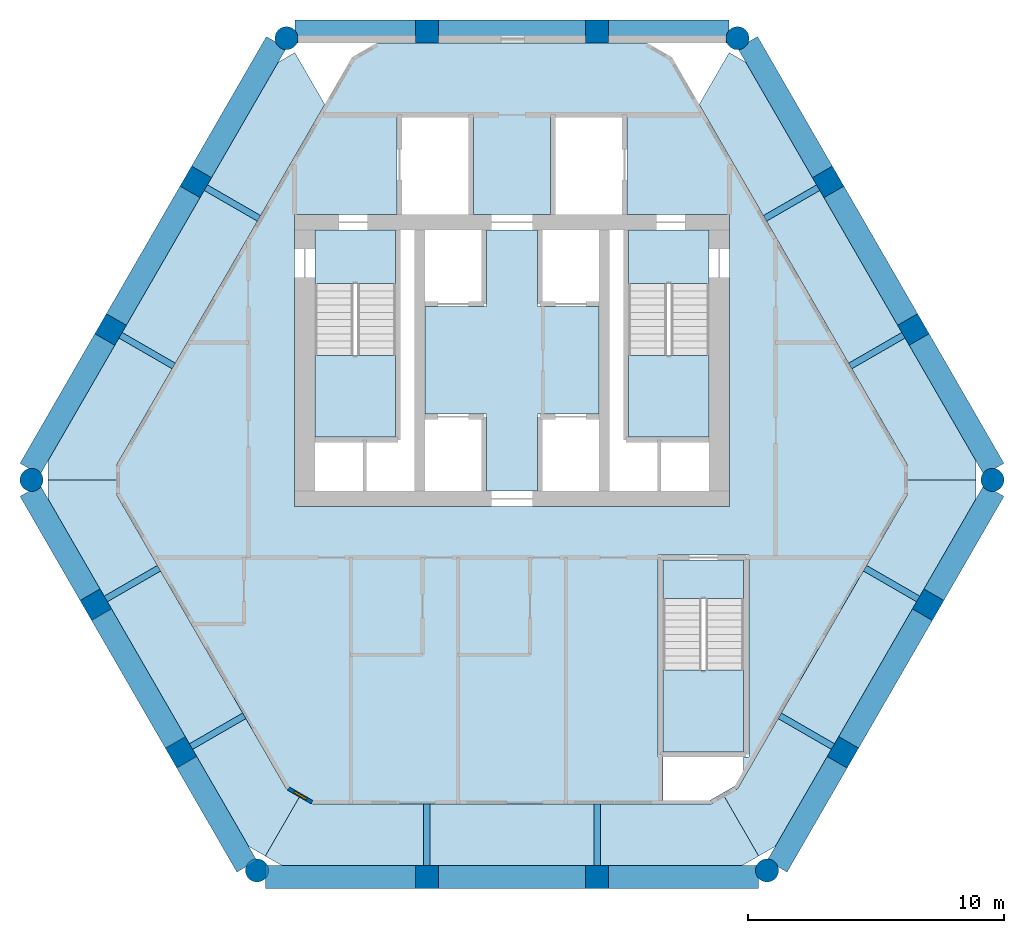
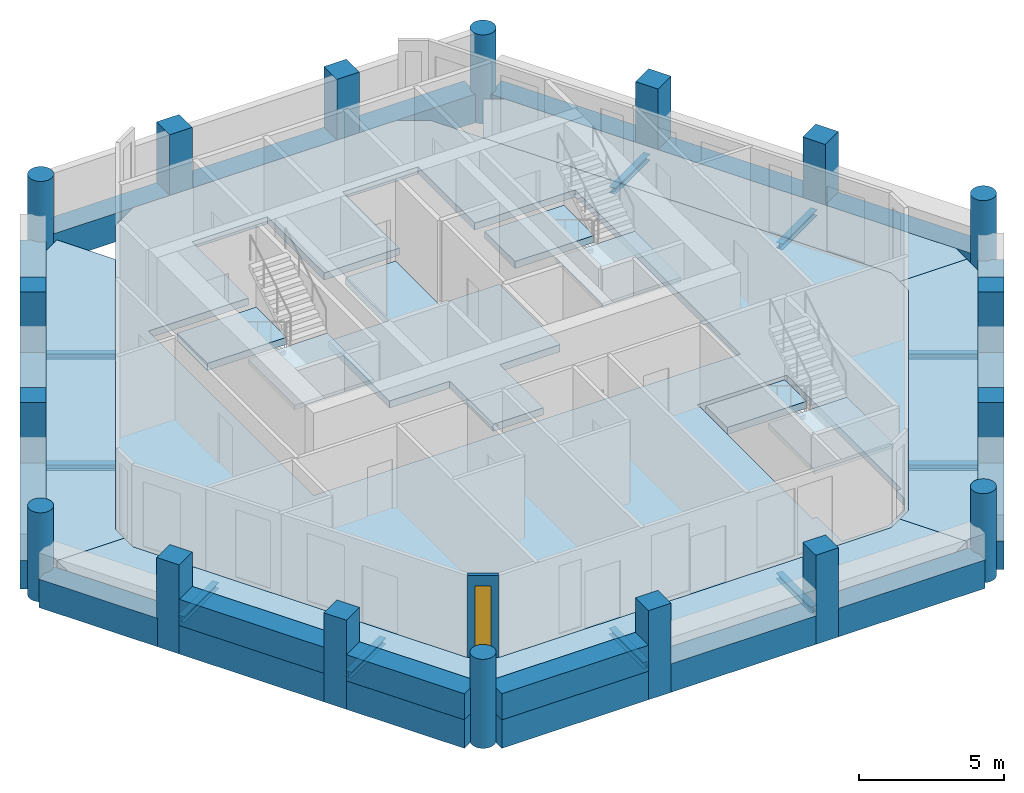
# One storey, part 1 of 6: 28 beams, 18 columns, 13 slabs, 4 walls, 1 window, 1 opening, 3 elements without a shape of their own.
"""IFC4 building model written with IfcOpenShell, lengths in metres."""

from ifc_helpers import new_model, si_unit, direction, frame, frame_2d, origin, origin_2d, place, context, subcontext, project, spatial, polyline, rectangle, circle, i_section, outline, extrude, material, layer, layer_set, material_profile, profile_set, type_object, element, fill, aggregate, save


model = new_model("IFC4")

# Units and contexts
model_context = context("Model", 3, precision=1e-05, world=origin(), true_north=direction((0.0, 1.0)))
body_context = subcontext(model_context, "Body", "Model", "MODEL_VIEW")
ifc_project = project(units=[si_unit("LENGTHUNIT", "METRE"), si_unit("AREAUNIT", "SQUARE_METRE"), si_unit("VOLUMEUNIT", "CUBIC_METRE"), si_unit("PLANEANGLEUNIT", "RADIAN"), si_unit("MASSUNIT", "GRAM", prefix="KILO")], contexts=[model_context])

# Site, building, storey
site_placement = place(None, origin())
site = spatial("IfcSite", under=ifc_project, at=site_placement, CompositionType="ELEMENT")
building_placement = place(site_placement, origin())
building = spatial("IfcBuilding", under=site, at=building_placement, Name="Ostrander Bayou Hotel Tower", CompositionType="ELEMENT")
storey_placement = place(building_placement, frame((0.0, 0.0, 248.75)))
storey = spatial("IfcBuildingStorey", under=building, at=storey_placement, Name="L61", CompositionType="ELEMENT", Elevation=248.75)

# Columns
ifc_material_1 = material(Name="Concrete f'c 60 MPa", Category="concrete")
ifc_material_profile_1 = material_profile(ifc_material_1, circle(Radius=0.449951171875, at=origin_2d()))
ifc_profile_set_1 = profile_set([ifc_material_profile_1], Name="Concrete f'c 60 MPa")
column_type_1 = type_object("IfcColumnType", Name="C7 round column 900 mm f'c 60 MPa", PredefinedType="COLUMN", material=ifc_profile_set_1)
for number, where, z_axis, x_axis, name in (
    (1, (-8.80908203125, 16.588623046875, -1.199951171875), (0.0, 0.0, 1.0), (1.0, 0.0, 0.0), "C7 L61 K0"),
    (2, (-18.770751953125, -0.66552734375, -1.199951171875), (0.0, 0.0, 1.0), (1.0, 0.0, 0.0), "C7 L61 K1"),
    (3, (-9.9619140625, -15.923095703125, -1.199951171875), (0.0, 0.0, 1.0), (1.0, 0.0, 0.0), "C7 L61 K2"),
    (4, (9.9619140625, -15.923095703125, -1.199951171875), (0.0, 0.0, 1.0), (1.0, 0.0, 0.0), "C7 L61 K3"),
    (5, (18.770751953125, -0.66552734375, -1.199951171875), (0.0, 0.0, 1.0), (1.0, 0.0, 0.0), "C7 L61 K4"),
    (6, (8.80908203125, 16.588623046875, -1.199951171875), (0.0, 0.0, 1.0), (1.0, 0.0, 0.0), "C7 L61 K5"),
):
    element("IfcColumn", number, at=place(storey_placement, frame(where, z_axis=z_axis, x_axis=x_axis)), inside=storey, type_object=column_type_1, Name=name, PredefinedType="COLUMN", context=body_context, shape_type="SweptSolid", body=[
        extrude(circle(Radius=0.449951171875, at=origin_2d()), origin(), (0.0, 0.0, 1.0), 3.75),
    ])
ifc_material_2 = material(Name="Concrete f'c 60 MPa", Category="concrete")
ifc_material_profile_2 = material_profile(ifc_material_2, rectangle(XDim=0.89990234375, YDim=0.89990234375, at=origin_2d()))
ifc_profile_set_2 = profile_set([ifc_material_profile_2], Name="Concrete f'c 60 MPa")
column_type_2 = type_object("IfcColumnType", Name="C8 square column 900 x 900 mm f'c 60 MPa", PredefinedType="COLUMN", material=ifc_profile_set_2)
for number, where, z_axis, x_axis, name in (
    (7, (3.329345703125, 16.85009765625, -1.199951171875), (0.0, 0.0, 1.0), (1.0, 0.0, 0.0), "C8 L61 N1"),
    (8, (-3.329345703125, 16.85009765625, -1.199951171875), (0.0, 0.0, 1.0), (1.0, 0.0, 0.0), "C8 L61 N2"),
    (9, (-12.3515625, 10.9755859375, -1.199951171875), (0.0, 0.0, 1.0), (0.5, 0.866025403784, 0.0), "C8 L61 NW1"),
    (10, (-15.680908203125, 5.208984375, -1.199951171875), (0.0, 0.0, 1.0), (0.5, 0.866025403784, 0.0), "C8 L61 NW2"),
    (11, (-16.257080078125, -5.541748046875, -1.199951171875), (0.0, 0.0, 1.0), (-0.5, 0.866025403784, 0.0), "C8 L61 SW1"),
    (12, (-12.927734375, -11.308349609375, -1.199951171875), (0.0, 0.0, 1.0), (-0.5, 0.866025403784, 0.0), "C8 L61 SW2"),
    (13, (-3.329345703125, -16.1845703125, -1.199951171875), (0.0, 0.0, 1.0), (-1.0, 0.0, 0.0), "C8 L61 S1"),
    (14, (3.329345703125, -16.1845703125, -1.199951171875), (0.0, 0.0, 1.0), (-1.0, 0.0, 0.0), "C8 L61 S2"),
    (15, (12.927734375, -11.308349609375, -1.199951171875), (0.0, 0.0, 1.0), (-0.5, -0.866025403784, 0.0), "C8 L61 SE1"),
    (16, (16.257080078125, -5.541748046875, -1.199951171875), (0.0, 0.0, 1.0), (-0.5, -0.866025403784, 0.0), "C8 L61 SE2"),
    (17, (15.680908203125, 5.208984375, -1.199951171875), (0.0, 0.0, 1.0), (0.5, -0.866025403784, 0.0), "C8 L61 NE1"),
    (18, (12.3515625, 10.9755859375, -1.199951171875), (0.0, 0.0, 1.0), (0.5, -0.866025403784, 0.0), "C8 L61 NE2"),
):
    element("IfcColumn", number, at=place(storey_placement, frame(where, z_axis=z_axis, x_axis=x_axis)), inside=storey, type_object=column_type_2, Name=name, PredefinedType="COLUMN", context=body_context, shape_type="SweptSolid", body=[
        extrude(rectangle(XDim=0.89990234375, YDim=0.89990234375, at=origin_2d()), origin(), (0.0, 0.0, 1.0), 3.75),
    ])

# Beams
ifc_material_3 = material(Name="Steel ASTM A992", Category="steel")
ifc_material_profile_3 = material_profile(ifc_material_3, i_section(OverallWidth=0.25390625, OverallDepth=0.25341796875, WebThickness=0.008544921875, FlangeThickness=0.01416015625, at=origin_2d()))
ifc_profile_set_3 = profile_set([ifc_material_profile_3], Name="Steel ASTM A992")
beam_type_1 = type_object("IfcBeamType", Name="LB2 loggia bracket W10x49", PredefinedType="BEAM", material=ifc_profile_set_3)
for number, where, z_axis, x_axis, name in (
    (19, (-11.9619140625, 10.75048828125, -0.4267578125), (0.866050077142, -0.499957262057, 0.0), (0.499957262057, 0.866050077142, 0.0), "LB2 L61 NW1"),
    (20, (-15.291259765625, 4.98388671875, -0.4267578125), (0.866050077142, -0.499957262057, 0.0), (0.499957262057, 0.866050077142, 0.0), "LB2 L61 NW2"),
):
    element("IfcBeam", number, at=place(storey_placement, frame(where, z_axis=z_axis, x_axis=x_axis)), inside=storey, type_object=beam_type_1, Name=name, PredefinedType="BEAM", context=body_context, shape_type="SweptSolid", body=[
        extrude(i_section(OverallWidth=0.25390625, OverallDepth=0.25341796875, WebThickness=0.008544921875, FlangeThickness=0.01416015625, at=origin_2d()), origin(), (0.0, 0.0, 1.0), 2.400146484375),
    ])
for number, where, z_axis, x_axis, name in (
    (21, (-15.867431640625, -5.316650390625, -0.4267578125), (0.866024647952, 0.500001309137, 0.0), (-0.500001309137, 0.866024647952, 0.0), "LB2 L61 SW1"),
    (22, (-12.5380859375, -11.083251953125, -0.4267578125), (0.866024647952, 0.500001309137, 0.0), (-0.500001309137, 0.866024647952, 0.0), "LB2 L61 SW2"),
):
    element("IfcBeam", number, at=place(storey_placement, frame(where, z_axis=z_axis, x_axis=x_axis)), inside=storey, type_object=beam_type_1, Name=name, PredefinedType="BEAM", context=body_context, shape_type="SweptSolid", body=[
        extrude(i_section(OverallWidth=0.25390625, OverallDepth=0.25341796875, WebThickness=0.008544921875, FlangeThickness=0.01416015625, at=origin_2d()), origin(), (0.0, 0.0, 1.0), 2.39990234375),
    ])
for number, where, z_axis, x_axis, name in (
    (23, (-3.329345703125, -15.734619140625, -0.4267578125), (0.0, 1.0, 0.0), (-1.0, 0.0, 0.0), "LB2 L61 S1"),
    (24, (3.329345703125, -15.734619140625, -0.4267578125), (0.0, 1.0, 0.0), (-1.0, 0.0, 0.0), "LB2 L61 S2"),
):
    element("IfcBeam", number, at=place(storey_placement, frame(where, z_axis=z_axis, x_axis=x_axis)), inside=storey, type_object=beam_type_1, Name=name, PredefinedType="BEAM", context=body_context, shape_type="SweptSolid", body=[
        extrude(i_section(OverallWidth=0.25390625, OverallDepth=0.25341796875, WebThickness=0.008544921875, FlangeThickness=0.01416015625, at=origin_2d()), origin(), (0.0, 0.0, 1.0), 2.400146484375),
    ])
for number, where, z_axis, x_axis, name in (
    (25, (12.5380859375, -11.083251953125, -0.4267578125), (-0.866024647952, 0.500001309137, 0.0), (-0.500001309137, -0.866024647952, 0.0), "LB2 L61 SE1"),
    (26, (15.867431640625, -5.316650390625, -0.4267578125), (-0.866024647952, 0.500001309137, 0.0), (-0.500001309137, -0.866024647952, 0.0), "LB2 L61 SE2"),
):
    element("IfcBeam", number, at=place(storey_placement, frame(where, z_axis=z_axis, x_axis=x_axis)), inside=storey, type_object=beam_type_1, Name=name, PredefinedType="BEAM", context=body_context, shape_type="SweptSolid", body=[
        extrude(i_section(OverallWidth=0.25390625, OverallDepth=0.25341796875, WebThickness=0.008544921875, FlangeThickness=0.01416015625, at=origin_2d()), origin(), (0.0, 0.0, 1.0), 2.39990234375),
    ])
for number, where, z_axis, x_axis, name in (
    (27, (15.291259765625, 4.98388671875, -0.4267578125), (-0.866050077142, -0.499957262057, 0.0), (0.499957262057, -0.866050077142, 0.0), "LB2 L61 NE1"),
    (28, (11.9619140625, 10.75048828125, -0.4267578125), (-0.866050077142, -0.499957262057, 0.0), (0.499957262057, -0.866050077142, 0.0), "LB2 L61 NE2"),
):
    element("IfcBeam", number, at=place(storey_placement, frame(where, z_axis=z_axis, x_axis=x_axis)), inside=storey, type_object=beam_type_1, Name=name, PredefinedType="BEAM", context=body_context, shape_type="SweptSolid", body=[
        extrude(i_section(OverallWidth=0.25390625, OverallDepth=0.25341796875, WebThickness=0.008544921875, FlangeThickness=0.01416015625, at=origin_2d()), origin(), (0.0, 0.0, 1.0), 2.400146484375),
    ])
ifc_material_4 = material(Name="Concrete f'c 60 MPa", Category="concrete")
ifc_material_profile_4 = material_profile(ifc_material_4, rectangle(XDim=0.89990234375, YDim=1.199951171875, at=origin_2d()))
ifc_profile_set_4 = profile_set([ifc_material_profile_4], Name="Concrete f'c 60 MPa")
beam_type_2 = type_object("IfcBeamType", Name="SP4 spandrel beam 900 x 1200 mm f'c 60 MPa", PredefinedType="SPANDREL", material=ifc_profile_set_4)
beam_1_placement = place(storey_placement, frame((8.47265625, 16.85009765625, -0.60009765625), z_axis=(-1.0, 0.0, 0.0), x_axis=(0.0, -1.0, 0.0)))
element("IfcBeam", 29, at=beam_1_placement, inside=storey, type_object=beam_type_2, Name="SP4 L61 N-1", PredefinedType="SPANDREL", context=body_context, shape_type="SweptSolid", body=[
    extrude(rectangle(XDim=0.89990234375, YDim=1.199951171875, at=origin_2d()), origin(), (0.0, 0.0, 1.0), 4.72314453125),
])
beam_2_placement = place(storey_placement, frame((2.909423828125, 16.85009765625, -0.60009765625), z_axis=(-1.0, 0.0, 0.0), x_axis=(0.0, -1.0, 0.0)))
element("IfcBeam", 30, at=beam_2_placement, inside=storey, type_object=beam_type_2, Name="SP4 L61 N-2", PredefinedType="SPANDREL", context=body_context, shape_type="SweptSolid", body=[
    extrude(rectangle(XDim=0.89990234375, YDim=1.199951171875, at=origin_2d()), origin(), (0.0, 0.0, 1.0), 5.81884765625),
])
beam_3_placement = place(storey_placement, frame((-3.74951171875, 16.85009765625, -0.60009765625), z_axis=(-1.0, 0.0, 0.0), x_axis=(0.0, -1.0, 0.0)))
element("IfcBeam", 31, at=beam_3_placement, inside=storey, type_object=beam_type_2, Name="SP4 L61 N-3", PredefinedType="SPANDREL", context=body_context, shape_type="SweptSolid", body=[
    extrude(rectangle(XDim=0.89990234375, YDim=1.199951171875, at=origin_2d()), origin(), (0.0, 0.0, 1.0), 4.72314453125),
])
beam_4_placement = place(storey_placement, frame((-9.20361328125, 16.427978515625, -0.60009765625), z_axis=(-0.500008985279, -0.866020216069, 0.0), x_axis=(0.866020216069, -0.500008985279, 0.0)))
element("IfcBeam", 32, at=beam_4_placement, inside=storey, type_object=beam_type_2, Name="SP4 L61 NW-1", PredefinedType="SPANDREL", context=body_context, shape_type="SweptSolid", body=[
    extrude(rectangle(XDim=0.89990234375, YDim=1.199951171875, at=origin_2d()), origin(), (0.0, 0.0, 1.0), 5.8759765625),
])
beam_5_placement = place(storey_placement, frame((-12.5615234375, 10.61181640625, -0.60009765625), z_axis=(-0.499997265274, -0.866026982673, 0.0), x_axis=(0.866026982673, -0.499997265274, 0.0)))
element("IfcBeam", 33, at=beam_5_placement, inside=storey, type_object=beam_type_2, Name="SP4 L61 NW-2", PredefinedType="SPANDREL", context=body_context, shape_type="SweptSolid", body=[
    extrude(rectangle(XDim=0.89990234375, YDim=1.199951171875, at=origin_2d()), origin(), (0.0, 0.0, 1.0), 5.81884765625),
])
beam_6_placement = place(storey_placement, frame((-15.890869140625, 4.84521484375, -0.60009765625), z_axis=(-0.499990994059, -0.866030603304, 0.0), x_axis=(0.866030603304, -0.499990994059, 0.0)))
element("IfcBeam", 34, at=beam_6_placement, inside=storey, type_object=beam_type_2, Name="SP4 L61 NW-3", PredefinedType="SPANDREL", context=body_context, shape_type="SweptSolid", body=[
    extrude(rectangle(XDim=0.89990234375, YDim=1.199951171875, at=origin_2d()), origin(), (0.0, 0.0, 1.0), 5.8759765625),
])
beam_7_placement = place(storey_placement, frame((-18.828857421875, -1.08740234375, -0.60009765625), z_axis=(0.499980471007, -0.86603667856, 0.0), x_axis=(0.86603667856, 0.499980471007, 0.0)))
element("IfcBeam", 35, at=beam_7_placement, inside=storey, type_object=beam_type_2, Name="SP4 L61 SW-1", PredefinedType="SPANDREL", context=body_context, shape_type="SweptSolid", body=[
    extrude(rectangle(XDim=0.89990234375, YDim=1.199951171875, at=origin_2d()), origin(), (0.0, 0.0, 1.0), 4.723388671875),
])
beam_8_placement = place(storey_placement, frame((-16.047119140625, -5.905517578125, -0.60009765625), z_axis=(0.500015433515, -0.866016493057, 0.0), x_axis=(0.866016493057, 0.500015433515, 0.0)))
element("IfcBeam", 36, at=beam_8_placement, inside=storey, type_object=beam_type_2, Name="SP4 L61 SW-2", PredefinedType="SPANDREL", context=body_context, shape_type="SweptSolid", body=[
    extrude(rectangle(XDim=0.89990234375, YDim=1.199951171875, at=origin_2d()), origin(), (0.0, 0.0, 1.0), 5.818603515625),
])
beam_9_placement = place(storey_placement, frame((-12.7177734375, -11.672119140625, -0.60009765625), z_axis=(0.500002852929, -0.866023756639, 0.0), x_axis=(0.866023756639, 0.500002852929, 0.0)))
element("IfcBeam", 37, at=beam_9_placement, inside=storey, type_object=beam_type_2, Name="SP4 L61 SW-3", PredefinedType="SPANDREL", context=body_context, shape_type="SweptSolid", body=[
    extrude(rectangle(XDim=0.89990234375, YDim=1.199951171875, at=origin_2d()), origin(), (0.0, 0.0, 1.0), 4.72314453125),
])
beam_10_placement = place(storey_placement, frame((-9.62548828125, -16.1845703125, -0.60009765625), z_axis=(1.0, 0.0, 0.0), x_axis=(0.0, 1.0, 0.0)))
element("IfcBeam", 38, at=beam_10_placement, inside=storey, type_object=beam_type_2, Name="SP4 L61 S-1", PredefinedType="SPANDREL", context=body_context, shape_type="SweptSolid", body=[
    extrude(rectangle(XDim=0.89990234375, YDim=1.199951171875, at=origin_2d()), origin(), (0.0, 0.0, 1.0), 5.8759765625),
])
beam_11_placement = place(storey_placement, frame((-2.909423828125, -16.1845703125, -0.60009765625), z_axis=(1.0, 0.0, 0.0), x_axis=(0.0, 1.0, 0.0)))
element("IfcBeam", 39, at=beam_11_placement, inside=storey, type_object=beam_type_2, Name="SP4 L61 S-2", PredefinedType="SPANDREL", context=body_context, shape_type="SweptSolid", body=[
    extrude(rectangle(XDim=0.89990234375, YDim=1.199951171875, at=origin_2d()), origin(), (0.0, 0.0, 1.0), 5.81884765625),
])
beam_12_placement = place(storey_placement, frame((3.74951171875, -16.1845703125, -0.60009765625), z_axis=(1.0, 0.0, 0.0), x_axis=(0.0, 1.0, 0.0)))
element("IfcBeam", 40, at=beam_12_placement, inside=storey, type_object=beam_type_2, Name="SP4 L61 S-3", PredefinedType="SPANDREL", context=body_context, shape_type="SweptSolid", body=[
    extrude(rectangle(XDim=0.89990234375, YDim=1.199951171875, at=origin_2d()), origin(), (0.0, 0.0, 1.0), 5.8759765625),
])
beam_13_placement = place(storey_placement, frame((10.356201171875, -15.762451171875, -0.60009765625), z_axis=(0.500002852929, 0.866023756639, 0.0), x_axis=(-0.866023756639, 0.500002852929, 0.0)))
element("IfcBeam", 41, at=beam_13_placement, inside=storey, type_object=beam_type_2, Name="SP4 L61 SE-1", PredefinedType="SPANDREL", context=body_context, shape_type="SweptSolid", body=[
    extrude(rectangle(XDim=0.89990234375, YDim=1.199951171875, at=origin_2d()), origin(), (0.0, 0.0, 1.0), 4.72314453125),
])
beam_14_placement = place(storey_placement, frame((13.1376953125, -10.944580078125, -0.60009765625), z_axis=(0.500015433515, 0.866016493057, 0.0), x_axis=(-0.866016493057, 0.500015433515, 0.0)))
element("IfcBeam", 42, at=beam_14_placement, inside=storey, type_object=beam_type_2, Name="SP4 L61 SE-2", PredefinedType="SPANDREL", context=body_context, shape_type="SweptSolid", body=[
    extrude(rectangle(XDim=0.89990234375, YDim=1.199951171875, at=origin_2d()), origin(), (0.0, 0.0, 1.0), 5.818603515625),
])
beam_15_placement = place(storey_placement, frame((16.46728515625, -5.177978515625, -0.60009765625), z_axis=(0.499980471007, 0.86603667856, 0.0), x_axis=(-0.86603667856, 0.499980471007, 0.0)))
element("IfcBeam", 43, at=beam_15_placement, inside=storey, type_object=beam_type_2, Name="SP4 L61 SE-3", PredefinedType="SPANDREL", context=body_context, shape_type="SweptSolid", body=[
    extrude(rectangle(XDim=0.89990234375, YDim=1.199951171875, at=origin_2d()), origin(), (0.0, 0.0, 1.0), 4.723388671875),
])
beam_16_placement = place(storey_placement, frame((18.828857421875, -0.24365234375, -0.60009765625), z_axis=(-0.499990994059, 0.866030603304, 0.0), x_axis=(-0.866030603304, -0.499990994059, 0.0)))
element("IfcBeam", 44, at=beam_16_placement, inside=storey, type_object=beam_type_2, Name="SP4 L61 NE-1", PredefinedType="SPANDREL", context=body_context, shape_type="SweptSolid", body=[
    extrude(rectangle(XDim=0.89990234375, YDim=1.199951171875, at=origin_2d()), origin(), (0.0, 0.0, 1.0), 5.8759765625),
])
beam_17_placement = place(storey_placement, frame((15.470947265625, 5.572509765625, -0.60009765625), z_axis=(-0.499997265274, 0.866026982673, 0.0), x_axis=(-0.866026982673, -0.499997265274, 0.0)))
element("IfcBeam", 45, at=beam_17_placement, inside=storey, type_object=beam_type_2, Name="SP4 L61 NE-2", PredefinedType="SPANDREL", context=body_context, shape_type="SweptSolid", body=[
    extrude(rectangle(XDim=0.89990234375, YDim=1.199951171875, at=origin_2d()), origin(), (0.0, 0.0, 1.0), 5.81884765625),
])
beam_18_placement = place(storey_placement, frame((12.1416015625, 11.33935546875, -0.60009765625), z_axis=(-0.500008985279, 0.866020216069, 0.0), x_axis=(-0.866020216069, -0.500008985279, 0.0)))
element("IfcBeam", 46, at=beam_18_placement, inside=storey, type_object=beam_type_2, Name="SP4 L61 NE-3", PredefinedType="SPANDREL", context=body_context, shape_type="SweptSolid", body=[
    extrude(rectangle(XDim=0.89990234375, YDim=1.199951171875, at=origin_2d()), origin(), (0.0, 0.0, 1.0), 5.8759765625),
])

# Slabs
ifc_material_5 = material(Name="Concrete f'c 40 MPa", Category="concrete")
ifc_layer_1 = layer(ifc_material_5, 0.300048828125)
ifc_layer_set_1 = layer_set([ifc_layer_1], Name="SL1 floor slab 300 mm f'c 40 MPa")
slab_type_1 = type_object("IfcSlabType", Name="SL1 floor slab 300 mm f'c 40 MPa", PredefinedType="FLOOR", material=ifc_layer_set_1)
slab_1_placement = place(storey_placement, frame((0.0, 0.0, -0.300048828125)))
element("IfcSlab", 47, at=slab_1_placement, inside=storey, type_object=slab_type_1, Name="SL1 L61 1", PredefinedType="FLOOR", context=body_context, shape_type="SweptSolid", body=[
    extrude(outline(polyline([(-2.909423828125, 16.39990234375), (2.909423828125, 16.39990234375), (3.74951171875, 16.39990234375), (5.236083984375, 16.39990234375), (6.275146484375, 15.800048828125), (15.435302734375, -0.0654296875), (15.435302734375, -1.265380859375), (8.8134765625, -12.734619140625), (7.7744140625, -13.33447265625), (-7.7744140625, -13.33447265625), (-8.8134765625, -12.734619140625), (-15.435302734375, -1.265380859375), (-15.435302734375, -0.0654296875), (-6.275146484375, 15.800048828125), (-5.236083984375, 16.39990234375), (-3.74951171875, 16.39990234375), (-2.909423828125, 16.39990234375)]), holes=[polyline([(9.050048828125, -12.02490234375), (9.050048828125, -11.5), (9.25, -11.5), (9.25, -3.60009765625), (5.699951171875, -3.60009765625), (5.699951171875, -11.5), (5.89990234375, -11.5), (5.89990234375, -13.1845703125), (7.734130859375, -13.1845703125), (8.70361328125, -12.624755859375), (9.050048828125, -12.02490234375)]), polyline([(-8.5, -1.699951171875), (8.5, -1.699951171875), (8.5, 9.699951171875), (4.5, 9.699951171875), (4.5, 13.60009765625), (1.5, 13.60009765625), (1.5, 9.699951171875), (-1.5, 9.699951171875), (-1.5, 13.60009765625), (-4.5, 13.60009765625), (-4.5, 9.699951171875), (-8.5, 9.699951171875), (-8.5, -1.699951171875)])]), origin(), (0.0, 0.0, 1.0), 0.300048828125),
])
slab_2_placement = place(storey_placement, frame((0.0, 0.0, -0.300048828125)))
element("IfcSlab", 48, at=slab_2_placement, inside=storey, type_object=slab_type_1, Name="cslab:L61:001", PredefinedType="FLOOR", context=body_context, shape_type="SweptSolid", body=[
    extrude(outline(polyline([(-3.39990234375, 6.10009765625), (-1.0, 6.10009765625), (-1.0, 9.10009765625), (1.0, 9.10009765625), (1.0, 6.10009765625), (3.39990234375, 6.10009765625), (3.39990234375, 1.89990234375), (1.0, 1.89990234375), (1.0, -1.10009765625), (-1.0, -1.10009765625), (-1.0, 1.89990234375), (-3.39990234375, 1.89990234375), (-3.39990234375, 6.10009765625)])), origin(), (0.0, 0.0, 1.0), 0.300048828125),
])
slab_3_placement = place(storey_placement, frame((0.0, 0.0, -0.300048828125)))
element("IfcSlab", 49, at=slab_3_placement, inside=storey, type_object=slab_type_1, Name="cslab:L61:002", PredefinedType="FLOOR", context=body_context, shape_type="SweptSolid", body=[
    extrude(outline(polyline([(-4.550048828125, 7.0), (-4.550048828125, 9.10009765625), (-7.699951171875, 9.10009765625), (-7.699951171875, 7.0), (-4.550048828125, 7.0)])), origin(), (0.0, 0.0, 1.0), 0.300048828125),
])
slab_4_placement = place(storey_placement, frame((0.0, 0.0, -0.300048828125)))
element("IfcSlab", 50, at=slab_4_placement, inside=storey, type_object=slab_type_1, Name="cslab:L61:003", PredefinedType="FLOOR", context=body_context, shape_type="SweptSolid", body=[
    extrude(outline(polyline([(7.699951171875, 7.0), (7.699951171875, 9.10009765625), (4.550048828125, 9.10009765625), (4.550048828125, 7.0), (7.699951171875, 7.0)])), origin(), (0.0, 0.0, 1.0), 0.300048828125),
])
slab_5_placement = place(storey_placement, frame((0.0, 0.0, -0.300048828125)))
element("IfcSlab", 51, at=slab_5_placement, inside=storey, type_object=slab_type_1, Name="cslab:L61:004", PredefinedType="FLOOR", context=body_context, shape_type="SweptSolid", body=[
    extrude(outline(polyline([(9.050048828125, -5.300048828125), (9.050048828125, -3.800048828125), (5.89990234375, -3.800048828125), (5.89990234375, -5.300048828125), (9.050048828125, -5.300048828125)])), origin(), (0.0, 0.0, 1.0), 0.300048828125),
])
ifc_material_6 = material(Name="Concrete f'c 40 MPa", Category="concrete")
ifc_layer_2 = layer(ifc_material_6, 0.300048828125)
ifc_layer_set_2 = layer_set([ifc_layer_2], Name="SL4 loggia slab 300 mm f'c 40 MPa")
slab_type_2 = type_object("IfcSlabType", Name="SL4 loggia slab 300 mm f'c 40 MPa", PredefinedType="FLOOR", material=ifc_layer_set_2)
slab_6_placement = place(storey_placement, frame((0.0, 0.0, -0.300048828125)))
element("IfcSlab", 52, at=slab_6_placement, inside=storey, type_object=slab_type_2, Name="SL4 LOGGIA L61 NW 1", PredefinedType="FLOOR", context=body_context, shape_type="SweptSolid", body=[
    extrude(outline(polyline([(-18.119873046875, -0.66552734375), (-18.119873046875, 0.08447265625), (-15.501220703125, 4.6201171875), (-15.081298828125, 5.34765625), (-13.514404296875, 8.06103515625), (-12.171875, 10.38671875), (-11.751708984375, 11.1142578125), (-9.133056640625, 15.64990234375), (-8.483642578125, 16.02490234375), (-7.314453125, 14.0), (-15.435302734375, -0.0654296875), (-15.435302734375, -0.66552734375), (-18.119873046875, -0.66552734375)])), origin(), (0.0, 0.0, 1.0), 0.300048828125),
])
slab_7_placement = place(storey_placement, frame((0.0, 0.0, -0.300048828125)))
element("IfcSlab", 53, at=slab_7_placement, inside=storey, type_object=slab_type_2, Name="SL4 LOGGIA L61 SW 1", PredefinedType="FLOOR", context=body_context, shape_type="SweptSolid", body=[
    extrude(outline(polyline([(-8.2939453125, -13.034423828125), (-9.63623046875, -15.359619140625), (-10.285888671875, -14.984619140625), (-12.328125, -11.447021484375), (-12.748046875, -10.719482421875), (-15.657470703125, -5.680419921875), (-16.077392578125, -4.952880859375), (-16.893310546875, -3.5400390625), (-18.119873046875, -1.41552734375), (-18.119873046875, -0.66552734375), (-15.435302734375, -0.66552734375), (-15.435302734375, -1.265380859375), (-8.8134765625, -12.734619140625), (-8.2939453125, -13.034423828125)])), origin(), (0.0, 0.0, 1.0), 0.300048828125),
])
slab_8_placement = place(storey_placement, frame((0.0, 0.0, -0.300048828125)))
element("IfcSlab", 54, at=slab_8_placement, inside=storey, type_object=slab_type_2, Name="SL4 LOGGIA L61 S 1", PredefinedType="FLOOR", context=body_context, shape_type="SweptSolid", body=[
    extrude(outline(polyline([(8.2939453125, -13.034423828125), (9.63623046875, -15.359619140625), (8.98681640625, -15.734619140625), (3.74951171875, -15.734619140625), (2.909423828125, -15.734619140625), (-2.909423828125, -15.734619140625), (-3.74951171875, -15.734619140625), (-8.98681640625, -15.734619140625), (-9.63623046875, -15.359619140625), (-8.2939453125, -13.034423828125), (-7.7744140625, -13.33447265625), (7.7744140625, -13.33447265625), (8.2939453125, -13.034423828125)])), origin(), (0.0, 0.0, 1.0), 0.300048828125),
])
slab_9_placement = place(storey_placement, frame((0.0, 0.0, -0.300048828125)))
element("IfcSlab", 55, at=slab_9_placement, inside=storey, type_object=slab_type_2, Name="SL4 LOGGIA L61 SE 1", PredefinedType="FLOOR", context=body_context, shape_type="SweptSolid", body=[
    extrude(outline(polyline([(15.435302734375, -0.66552734375), (18.119873046875, -0.66552734375), (18.119873046875, -1.41552734375), (16.077392578125, -4.952880859375), (15.657470703125, -5.680419921875), (12.748046875, -10.719482421875), (12.328125, -11.447021484375), (10.285888671875, -14.984619140625), (9.63623046875, -15.359619140625), (8.2939453125, -13.034423828125), (8.8134765625, -12.734619140625), (15.435302734375, -1.265380859375), (15.435302734375, -0.66552734375)])), origin(), (0.0, 0.0, 1.0), 0.300048828125),
])
slab_10_placement = place(storey_placement, frame((0.0, 0.0, -0.300048828125)))
element("IfcSlab", 56, at=slab_10_placement, inside=storey, type_object=slab_type_2, Name="SL4 LOGGIA L61 NE 1", PredefinedType="FLOOR", context=body_context, shape_type="SweptSolid", body=[
    extrude(outline(polyline([(8.483642578125, 16.02490234375), (9.133056640625, 15.64990234375), (11.751708984375, 11.1142578125), (12.171875, 10.38671875), (15.081298828125, 5.34765625), (15.501220703125, 4.6201171875), (17.7255859375, 0.767578125), (18.02880859375, 0.241943359375), (18.119873046875, 0.08447265625), (18.119873046875, -0.66552734375), (15.435302734375, -0.66552734375), (15.435302734375, -0.0654296875), (7.314453125, 14.0), (8.483642578125, 16.02490234375)])), origin(), (0.0, 0.0, 1.0), 0.300048828125),
])

# Stair, slab
ifc_material_7 = material(Name="Concrete f'c 45 MPa", Category="concrete")
stair_type = type_object("IfcStairType", Name="ST1 exit stair 1500 mm f'c 45 MPa", PredefinedType="HALF_TURN_STAIR", material=ifc_material_7)
stair_1_placement = place(storey_placement, origin())
stair_1 = element("IfcStair", 57, at=stair_1_placement, inside=storey, type_object=stair_type, Name="L61 exit stair A", PredefinedType="HALF_TURN_STAIR")
ifc_material_8 = material(Name="Concrete f'c 45 MPa", Category="concrete")
ifc_layer_3 = layer(ifc_material_8, 0.199951171875)
ifc_layer_set_3 = layer_set([ifc_layer_3], Name="SL8 stair landing 200 mm f'c 45 MPa")
slab_type_3 = type_object("IfcSlabType", Name="SL8 stair landing 200 mm f'c 45 MPa", PredefinedType="LANDING", material=ifc_layer_set_3)
slab_11_placement = place(storey_placement, frame((0.0, 0.0, 1.675048828125)))
slab_11 = element("IfcSlab", 58, at=slab_11_placement, type_object=slab_type_3, Name="STA landing 1", PredefinedType="LANDING", context=body_context, shape_type="SweptSolid", body=[
    extrude(outline(polyline([(-7.699951171875, 4.199951171875), (-7.699951171875, 1.0), (-4.550048828125, 1.0), (-4.550048828125, 4.199951171875), (-7.699951171875, 4.199951171875)])), origin(), (0.0, 0.0, 1.0), 0.199951171875),
])
aggregate(stair_1, [slab_11])

stair_2_placement = place(storey_placement, origin())
stair_2 = element("IfcStair", 59, at=stair_2_placement, inside=storey, type_object=stair_type, Name="L61 exit stair B", PredefinedType="HALF_TURN_STAIR")
slab_12_placement = place(storey_placement, frame((0.0, 0.0, 1.675048828125)))
slab_12 = element("IfcSlab", 60, at=slab_12_placement, type_object=slab_type_3, Name="STB landing 1", PredefinedType="LANDING", context=body_context, shape_type="SweptSolid", body=[
    extrude(outline(polyline([(4.550048828125, 4.199951171875), (4.550048828125, 1.0), (7.699951171875, 1.0), (7.699951171875, 4.199951171875), (4.550048828125, 4.199951171875)])), origin(), (0.0, 0.0, 1.0), 0.199951171875),
])
aggregate(stair_2, [slab_12])

stair_3_placement = place(storey_placement, origin())
stair_3 = element("IfcStair", 61, at=stair_3_placement, inside=storey, type_object=stair_type, Name="L61 exit stair C", PredefinedType="HALF_TURN_STAIR")
slab_13_placement = place(storey_placement, frame((0.0, 0.0, 1.675048828125)))
slab_13 = element("IfcSlab", 62, at=slab_13_placement, type_object=slab_type_3, Name="STC landing 1", PredefinedType="LANDING", context=body_context, shape_type="SweptSolid", body=[
    extrude(outline(polyline([(5.89990234375, -8.10009765625), (5.89990234375, -11.300048828125), (9.050048828125, -11.300048828125), (9.050048828125, -8.10009765625), (5.89990234375, -8.10009765625)])), origin(), (0.0, 0.0, 1.0), 0.199951171875),
])
aggregate(stair_3, [slab_13])

# Wall, opening, window
ifc_material_9 = material(Name="Aluminium framed insulated wall", Category="aluminium")
ifc_layer_4 = layer(ifc_material_9, 0.14990234375)
ifc_layer_set_4 = layer_set([ifc_layer_4], Name="GW1 glass-line wall 150 mm")
wall_type_1 = type_object("IfcWallType", Name="GW1 glass-line wall 150 mm", PredefinedType="SOLIDWALL", material=ifc_layer_set_4)
wall_1_placement = place(storey_placement, frame((-8.731201171875, -12.72705078125, 0.0), z_axis=(0.0, 0.0, 1.0), x_axis=(0.865990848561, -0.500059846627, 0.0)))
wall_1 = element("IfcWall", 63, at=wall_1_placement, inside=storey, type_object=wall_type_1, Name="GW1 L61 corner 3", PredefinedType="SOLIDWALL", context=body_context, shape_type="SweptSolid", body=[
    extrude(rectangle(XDim=1.064697265625, YDim=0.14990234375, at=frame_2d((0.5322265625, 0.0))), origin(), (0.0, 0.0, 1.0), 3.449951171875),
])
opening_placement = place(wall_1_placement, frame((0.257568359375, 0.0, 0.14990234375)))
opening = element("IfcOpeningElement", 64, at=opening_placement, cuts=wall_1, Name="Opening W19", PredefinedType="OPENING", context=body_context, shape_type="SweptSolid", body=[
    extrude(rectangle(XDim=0.550048828125, YDim=2.85009765625, at=frame_2d((0.27490234375, 1.425048828125))), frame((0.0, 0.074951171875, 0.0), z_axis=(0.0, -1.0, 0.0), x_axis=(1.0, 0.0, 0.0)), (0.0, 0.0, 1.0), 0.14990234375),
])
ifc_material_10 = material(Name="Aluminium and clear glass", Category="aluminium")
window_type = type_object("IfcWindowType", Name="W19 corner window 550 mm", PartitioningType="SINGLE_PANEL", PredefinedType="WINDOW", material=ifc_material_10)
window_placement = place(opening_placement, origin())
window = element("IfcWindow", 65, at=window_placement, inside=storey, type_object=window_type, Name="W19 L61 corner 3", OverallHeight=2.85009765625, OverallWidth=0.550048828125, PartitioningType="SINGLE_PANEL", PredefinedType="WINDOW", context=body_context, shape_type="SweptSolid", body=[
    extrude(rectangle(XDim=0.550048828125, YDim=2.85009765625, at=frame_2d((0.27490234375, 1.425048828125))), frame((0.0, 0.030029296875, 0.0), z_axis=(0.0, -1.0, 0.0), x_axis=(1.0, 0.0, 0.0)), (0.0, 0.0, 1.0), 0.06005859375),
])
fill(opening, window)

# Walls
ifc_material_11 = material(Name="Concrete f'c 40 MPa", Category="concrete")
ifc_layer_5 = layer(ifc_material_11, 0.89990234375)
ifc_layer_set_5 = layer_set([ifc_layer_5], Name="PA1 stone-faced parapet 900 mm")
wall_type_2 = type_object("IfcWallType", Name="PA1 stone-faced parapet 900 mm", PredefinedType="PARAPET", material=ifc_layer_set_5)
wall_2_placement = place(storey_placement, frame((-9.62548828125, -16.1845703125, 0.0), z_axis=(0.0, 0.0, 1.0), x_axis=(1.0, 0.0, 0.0)))
element("IfcWall", 66, at=wall_2_placement, inside=storey, type_object=wall_type_2, Name="PA1 L61 S-1", PredefinedType="PARAPET", context=body_context, shape_type="SweptSolid", body=[
    extrude(rectangle(XDim=5.8759765625, YDim=0.89990234375, at=frame_2d((2.93798828125, 0.0))), origin(), (0.0, 0.0, 1.0), 1.10009765625),
])
ifc_material_12 = material(Name="Limestone masonry", Category="masonry")
ifc_layer_6 = layer(ifc_material_12, 0.89990234375)
ifc_layer_set_6 = layer_set([ifc_layer_6], Name="PA2 limestone parapet 900 mm")
wall_type_3 = type_object("IfcWallType", Name="PA2 limestone parapet 900 mm", PredefinedType="PARAPET", material=ifc_layer_set_6)
wall_3_placement = place(storey_placement, frame((-16.047119140625, -5.905517578125, 0.0), z_axis=(0.0, 0.0, 1.0), x_axis=(0.500015433515, -0.866016493057, 0.0)))
element("IfcWall", 67, at=wall_3_placement, inside=storey, type_object=wall_type_3, Name="PA2 L61 SW-2", PredefinedType="PARAPET", context=body_context, shape_type="SweptSolid", body=[
    extrude(rectangle(XDim=5.818603515625, YDim=0.89990234375, at=frame_2d((2.9091796875, 0.0))), origin(), (0.0, 0.0, 1.0), 1.10009765625),
])
wall_4_placement = place(storey_placement, frame((-12.7177734375, -11.672119140625, 0.0), z_axis=(0.0, 0.0, 1.0), x_axis=(0.500002852929, -0.866023756639, 0.0)))
element("IfcWall", 68, at=wall_4_placement, inside=storey, type_object=wall_type_3, Name="PA2 L61 SW-3", PredefinedType="PARAPET", context=body_context, shape_type="SweptSolid", body=[
    extrude(rectangle(XDim=4.72314453125, YDim=0.89990234375, at=frame_2d((2.361572265625, 0.0))), origin(), (0.0, 0.0, 1.0), 1.10009765625),
])

save(model, "model.ifc")
